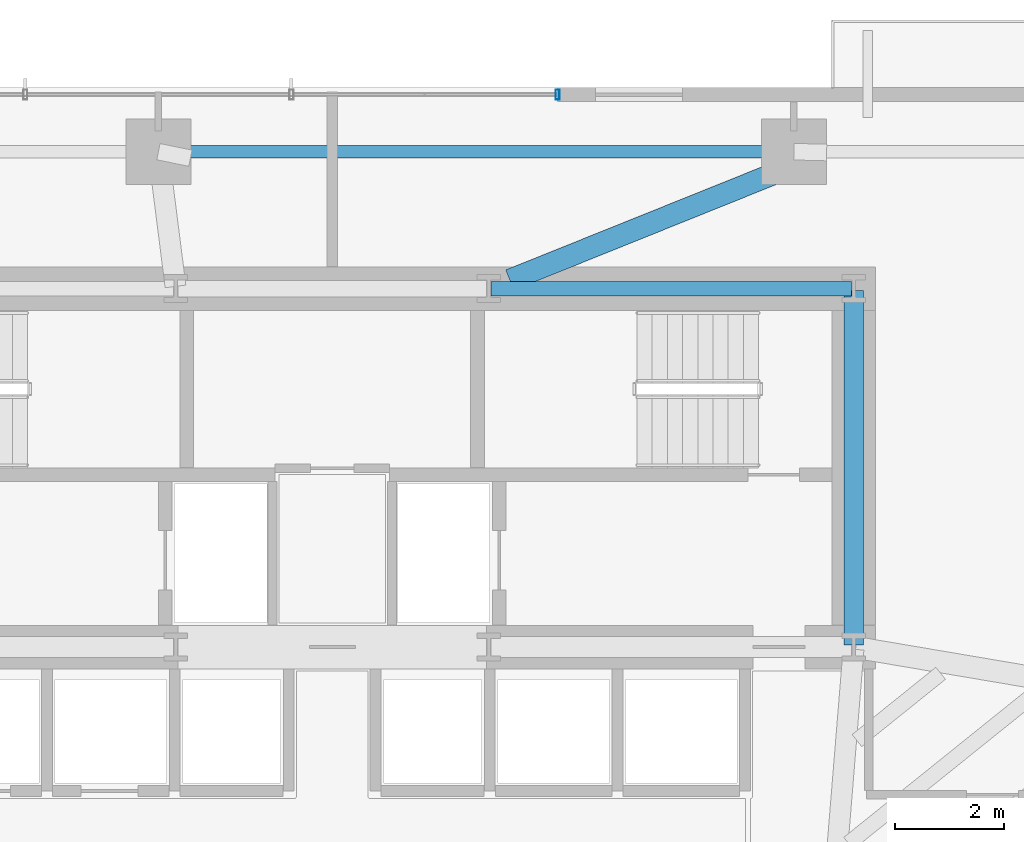
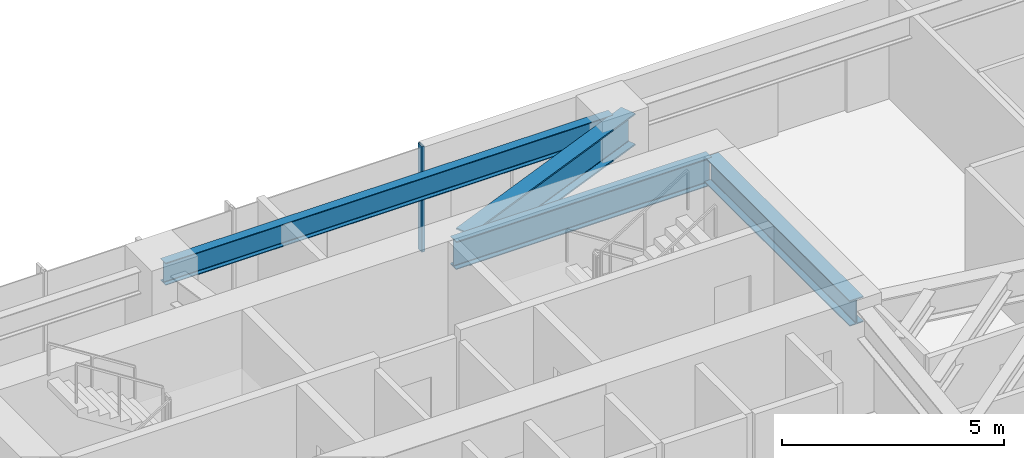
# One storey, part 15 of 25: 4 beams, 1 member, 1 element without a shape of its own.
"""IFC4 building model written with IfcOpenShell, lengths in metres."""

import ifcopenshell
import ifcopenshell.guid

model = None  # the IFC model being written
_history = None  # IfcOwnerHistory: only IFC2X3 demands one
_inside = {}  # id of a spatial element -> (the spatial element, [elements in it])
_under = {}  # id of a project, library or spatial element -> (it, [spatial elements below it])
_declared = {}  # id of a project -> (the project, [libraries it declares])
_typed = {}  # id of a type object -> (the type object, [elements of that type])
_made_of = {}  # id of a material, layer set ... -> (it, [elements and type objects made of it])


def new_model(schema):
    """Start an empty IFC model of exactly this schema.

    Asked for "IFC4X3", IfcOpenShell would pick the latest addendum, in which some entities
    have other attributes; the version numbers below select the first issue.
    IFC2X3 requires an IfcOwnerHistory on every rooted entity: one is made here for all.
    """
    global model, _history
    if schema == "IFC4X3":
        model = ifcopenshell.file(schema_version=(4, 3, 0, 0))
    else:
        model = ifcopenshell.file(schema=schema)
    _inside.clear()
    _under.clear()
    _declared.clear()
    _typed.clear()
    _made_of.clear()
    _history = None
    if model.schema == "IFC2X3":
        org = make("IfcOrganization", Name="unknown")
        user = make(
            "IfcPersonAndOrganization",
            ThePerson=make("IfcPerson", FamilyName="unknown"),
            TheOrganization=org,
        )
        app = make(
            "IfcApplication",
            ApplicationDeveloper=org,
            Version="unknown",
            ApplicationFullName="unknown",
            ApplicationIdentifier="unknown",
        )
        _history = make(
            "IfcOwnerHistory",
            OwningUser=user,
            OwningApplication=app,
            ChangeAction="ADDED",
            CreationDate=0,
        )
    return model


def make(cls, **values):
    """One entity of the class cls with the attributes given. An attribute that is None is left unset."""
    return model.create_entity(
        cls, **{name: value for name, value in values.items() if value is not None}
    )


def rooted(cls, **values):
    """An entity with a GlobalId (a new one), such as an element, a storey or a relation."""
    return make(cls, GlobalId=ifcopenshell.guid.new(), OwnerHistory=_history, **values)


def si_unit(unit_type, name, prefix=None):
    """IfcSIUnit, for example si_unit("LENGTHUNIT", "METRE", prefix="MILLI")."""
    return make("IfcSIUnit", UnitType=unit_type, Prefix=prefix, Name=name)


def assignment(units):
    """IfcUnitAssignment: the units of a project."""
    return None if units is None else make("IfcUnitAssignment", Units=units)


def point(xyz):
    """IfcCartesianPoint."""
    return None if xyz is None else make("IfcCartesianPoint", Coordinates=xyz)


def direction(xyz):
    """IfcDirection."""
    return None if xyz is None else make("IfcDirection", DirectionRatios=xyz)


def frame(location, z_axis=None, x_axis=None):
    """IfcAxis2Placement3D, a coordinate frame: its origin and axes. An axis left out is left unset."""
    return make(
        "IfcAxis2Placement3D",
        Location=point(location),
        Axis=direction(z_axis),
        RefDirection=direction(x_axis),
    )


def frame_2d(location, x_axis=None):
    """IfcAxis2Placement2D, a coordinate frame in the plane: its origin and x axis."""
    return make(
        "IfcAxis2Placement2D", Location=point(location), RefDirection=direction(x_axis)
    )


def origin():
    """The frame at (0, 0, 0) with its axes left unset."""
    return frame((0.0, 0.0, 0.0))


def origin_2d():
    """The frame at (0, 0) in the plane with its x axis left unset."""
    return frame_2d((0.0, 0.0))


def place(relative_to, where):
    """IfcLocalPlacement: puts the frame where relative to a parent placement (None: the world)."""
    return make(
        "IfcLocalPlacement", PlacementRelTo=relative_to, RelativePlacement=where
    )


def context(
    kind, dimensions, precision=None, world=None, true_north=None, identifier=None
):
    """IfcGeometricRepresentationContext, for example the 3D "Model" context."""
    return make(
        "IfcGeometricRepresentationContext",
        ContextIdentifier=identifier,
        ContextType=kind,
        CoordinateSpaceDimension=dimensions,
        Precision=precision,
        WorldCoordinateSystem=world,
        TrueNorth=true_north,
    )


def subcontext(parent, identifier, kind, view, scale=None):
    """IfcGeometricRepresentationSubContext, for example "Body" below "Model"."""
    return make(
        "IfcGeometricRepresentationSubContext",
        ContextIdentifier=identifier,
        ContextType=kind,
        ParentContext=parent,
        TargetScale=scale,
        TargetView=view,
    )


def project(units=None, contexts=None):
    """IfcProject with its units and contexts."""
    return rooted(
        "IfcProject",
        Name="project",
        RepresentationContexts=contexts,
        UnitsInContext=assignment(units),
    )


def spatial(cls, under=None, at=None, **own):
    """A site, building, storey or space (cls), placed at a placement, below another one or the project."""
    s = rooted(cls, ObjectPlacement=at, **own)
    if under is not None:
        _under.setdefault(under.id(), (under, []))[1].append(s)
    return s


def profile(cls, at=None, kind="AREA", **sizes):
    """A parametric profile (cls). Its sizes go by their IFC names, for example OverallWidth=200.0."""
    return make(cls, ProfileType=kind, Position=at, **sizes)


def hollow_rectangle(**sizes):
    """IfcRectangleHollowProfileDef."""
    return profile("IfcRectangleHollowProfileDef", **sizes)


def i_section(**sizes):
    """IfcIShapeProfileDef."""
    return profile("IfcIShapeProfileDef", **sizes)


def extrude(swept, where, along, depth):
    """IfcExtrudedAreaSolid: the profile swept, set in the frame where, extruded along a direction by depth."""
    return make(
        "IfcExtrudedAreaSolid",
        SweptArea=swept,
        Position=where,
        ExtrudedDirection=direction(along),
        Depth=depth,
    )


def shape(context_of_items, identifier, shape_type, items):
    """IfcShapeRepresentation: the items that make up one representation, for example the "Body"."""
    return make(
        "IfcShapeRepresentation",
        ContextOfItems=context_of_items,
        RepresentationIdentifier=identifier,
        RepresentationType=shape_type,
        Items=items,
    )


def source(mapping_origin, context_of_items, identifier, shape_type, items):
    """IfcRepresentationMap: a shape defined once, which mapped items show again and again."""
    return make(
        "IfcRepresentationMap",
        MappingOrigin=mapping_origin,
        MappedRepresentation=shape(context_of_items, identifier, shape_type, items),
    )


def transform(
    local_origin,
    x_axis=None,
    y_axis=None,
    z_axis=None,
    scale=None,
    scale2=None,
    scale3=None,
    uniform=True,
):
    """IfcCartesianTransformationOperator3D, or its non-uniform kind. x_axis, y_axis, z_axis: its Axis1, 2, 3."""
    if uniform:
        return make(
            "IfcCartesianTransformationOperator3D",
            Axis1=direction(x_axis),
            Axis2=direction(y_axis),
            LocalOrigin=point(local_origin),
            Scale=scale,
            Axis3=direction(z_axis),
        )
    return make(
        "IfcCartesianTransformationOperator3DnonUniform",
        Axis1=direction(x_axis),
        Axis2=direction(y_axis),
        LocalOrigin=point(local_origin),
        Scale=scale,
        Axis3=direction(z_axis),
        Scale2=scale2,
        Scale3=scale3,
    )


def mapped(mapping_source, mapping_target):
    """IfcMappedItem: shows the shape of a source again, moved by a transform."""
    return make(
        "IfcMappedItem", MappingSource=mapping_source, MappingTarget=mapping_target
    )


def material(Name=None, Category=None):
    """IfcMaterial."""
    return make("IfcMaterial", Name=Name, Category=Category)


def material_profile(
    of_material, cross_section, Name=None, Category=None, Priority=None
):
    """IfcMaterialProfile: a cross section and its material."""
    return make(
        "IfcMaterialProfile",
        Name=Name,
        Material=of_material,
        Profile=cross_section,
        Priority=Priority,
        Category=Category,
    )


def profile_set(profiles, Name=None, composite=None):
    """IfcMaterialProfileSet."""
    return make(
        "IfcMaterialProfileSet",
        Name=Name,
        MaterialProfiles=profiles,
        CompositeProfile=composite,
    )


def made_of(thing, what):
    """Note that an element or type object is made of a material, layer set ...; save() writes the relation."""
    if what is not None:
        _made_of.setdefault(what.id(), (what, []))[1].append(thing)
    return thing


def type_object(cls, material=None, **own):
    """A type object (cls), such as IfcWallType, which elements share."""
    return made_of(rooted(cls, **own), material)


def type_shapes(of_type, sources):
    """Give a type object the sources (RepresentationMaps) that its elements show as mapped items."""
    of_type.RepresentationMaps = sources


def element(
    cls,
    number,
    at=None,
    inside=None,
    cuts=None,
    type_object=None,
    material=None,
    context=None,
    identifier="Body",
    shape_type=None,
    held_by="IfcProductDefinitionShape",
    body=None,
    shapes=None,
    **own,
):
    """One element of the class cls, such as IfcWall. Its Tag is "e" and its number.

    at: its placement. inside: the storey or other place that contains it. cuts: it is an
    opening in that element (IfcRelVoidsElement). A single representation is given by context,
    identifier, shape_type and body (its items); several are given by shapes. held_by: the class
    of the entity that holds the representations. save() writes the other relations.
    """
    e = rooted(cls, Tag="e%d" % number, ObjectPlacement=at, **own)
    if body is not None:
        shapes = [shape(context, identifier, shape_type, body)]
    if shapes is not None:
        e.Representation = make(held_by, Representations=shapes)
    if inside is not None:
        _inside.setdefault(inside.id(), (inside, []))[1].append(e)
    if cuts is not None:
        rooted(
            "IfcRelVoidsElement", RelatingBuildingElement=cuts, RelatedOpeningElement=e
        )
    if type_object is not None:
        _typed.setdefault(type_object.id(), (type_object, []))[1].append(e)
    return made_of(e, material)


def aggregate(whole, parts):
    """IfcRelAggregates: a whole, such as a stair, and the parts it consists of."""
    return rooted("IfcRelAggregates", RelatingObject=whole, RelatedObjects=parts)


def save(model, path):
    """Write the relations noted so far, then the file.

    IfcRelAggregates (storeys below a building ...), IfcRelContainedInSpatialStructure (elements
    in a storey), IfcRelDefinesByType, IfcRelAssociatesMaterial and IfcRelDeclares: one each for
    every whole, place, type object, material and project.
    """
    for whole, parts in _under.values():
        aggregate(whole, parts)
    for where, things in _inside.values():
        rooted(
            "IfcRelContainedInSpatialStructure",
            RelatedElements=things,
            RelatingStructure=where,
        )
    for kind, things in _typed.values():
        rooted("IfcRelDefinesByType", RelatedObjects=things, RelatingType=kind)
    for what, things in _made_of.values():
        rooted("IfcRelAssociatesMaterial", RelatedObjects=things, RelatingMaterial=what)
    for by, libraries in _declared.values():
        rooted("IfcRelDeclares", RelatingContext=by, RelatedDefinitions=libraries)
    model.write(path)


model = new_model("IFC4")

# Units and contexts
model_context = context("Model", 3, precision=1e-05, world=origin(), true_north=direction((0.0, 1.0)))
body_context = subcontext(model_context, "Body", "Model", "MODEL_VIEW")
ifc_project = project(units=[si_unit("LENGTHUNIT", "METRE"), si_unit("AREAUNIT", "SQUARE_METRE"), si_unit("VOLUMEUNIT", "CUBIC_METRE"), si_unit("PLANEANGLEUNIT", "RADIAN"), si_unit("MASSUNIT", "GRAM", prefix="KILO")], contexts=[model_context])

# Site, building, storey
site_placement = place(None, origin())
site = spatial("IfcSite", under=ifc_project, at=site_placement, CompositionType="ELEMENT")
building_placement = place(site_placement, origin())
building = spatial("IfcBuilding", under=site, at=building_placement, Name="Astriad Promenade Condominiums", CompositionType="ELEMENT")
storey_placement = place(building_placement, frame((0.0, 0.0, 64.60009765625)))
storey = spatial("IfcBuildingStorey", under=building, at=storey_placement, Name="L18", CompositionType="ELEMENT", Elevation=64.60009765625)

# Beams
ifc_material_1 = material(Name="Steel ASTM A992 Grade 50", Category="steel")
ifc_material_profile_1 = material_profile(ifc_material_1, i_section(OverallWidth=0.267822265625, OverallDepth=0.76953125, WebThickness=0.015625, FlangeThickness=0.025390625, FilletRadius=0.021484375, at=origin_2d()), Name="W30X132")
ifc_profile_set_1 = profile_set([ifc_material_profile_1], Name="Steel ASTM A992 Grade 50")
beam_type_1 = type_object("IfcBeamType", Name="STEEL FLOOR GIRDER W30X132", PredefinedType="BEAM", material=ifc_profile_set_1)
shared_shape_1 = source(origin(), body_context, "Body", "SweptSolid", [
    extrude(i_section(OverallWidth=0.267822265625, OverallDepth=0.76953125, WebThickness=0.015625, FlangeThickness=0.025390625, FilletRadius=0.021484375, at=origin_2d()), origin(), (0.0, 0.0, 1.0), 6.64013671875),
])
type_shapes(beam_type_1, [shared_shape_1])
beam_1_placement = place(storey_placement, frame((38.919921875, 24.0, 2.51513671875), z_axis=(1.0, 0.0, 0.0), x_axis=(0.0, 1.0, 0.0)))
element("IfcBeam", 1, at=beam_1_placement, inside=storey, type_object=beam_type_1, Name="Core Ring Beam CG-N3-L18", PredefinedType="BEAM", context=body_context, shape_type="MappedRepresentation", body=[
    mapped(shared_shape_1, transform((0.0, 0.0, 0.0), scale=1.0)),
])
ifc_material_profile_2 = material_profile(ifc_material_1, i_section(OverallWidth=0.35791015625, OverallDepth=0.706298828125, WebThickness=0.018310546875, FlangeThickness=0.0302734375, FilletRadius=0.020263671875, at=origin_2d()), Name="W27X178")
ifc_profile_set_2 = profile_set([ifc_material_profile_2], Name="Steel ASTM A992 Grade 50")
beam_type_2 = type_object("IfcBeamType", Name="STEEL FLOOR GIRDER W27X178", PredefinedType="BEAM", material=ifc_profile_set_2)
shared_shape_2 = source(origin(), body_context, "Body", "SweptSolid", [
    extrude(i_section(OverallWidth=0.35791015625, OverallDepth=0.706298828125, WebThickness=0.018310546875, FlangeThickness=0.0302734375, FilletRadius=0.020263671875, at=origin_2d()), origin(), (0.0, 0.0, 1.0), 6.52001953125),
])
type_shapes(beam_type_2, [shared_shape_2])
beam_2_placement = place(storey_placement, frame((45.60009765625, 17.43994140625, 2.546630859375), z_axis=(0.0, 1.0, 0.0), x_axis=(-1.0, 0.0, 0.0)))
element("IfcBeam", 2, at=beam_2_placement, inside=storey, type_object=beam_type_2, Name="Core Ring Beam CG-E1-L18", PredefinedType="BEAM", context=body_context, shape_type="MappedRepresentation", body=[
    mapped(shared_shape_2, transform((0.0, 0.0, 0.0), scale=1.0)),
])
ifc_material_profile_3 = material_profile(ifc_material_1, i_section(OverallWidth=0.22900390625, OverallDepth=0.612060546875, WebThickness=0.011962890625, FlangeThickness=0.01953125, FilletRadius=0.017822265625, at=origin_2d()), Name="W24X84")
ifc_profile_set_3 = profile_set([ifc_material_profile_3], Name="Steel ASTM A992 Grade 50")
beam_type_3 = type_object("IfcBeamType", Name="STEEL SPANDREL BEAM W24X84", PredefinedType="SPANDREL", material=ifc_profile_set_3)
shared_shape_3 = source(origin(), body_context, "Body", "SweptSolid", [
    extrude(i_section(OverallWidth=0.22900390625, OverallDepth=0.612060546875, WebThickness=0.011962890625, FlangeThickness=0.01953125, FilletRadius=0.017822265625, at=origin_2d()), origin(), (0.0, 0.0, 1.0), 11.619873046875),
])
type_shapes(beam_type_3, [shared_shape_3])
beam_3_placement = place(storey_placement, frame((44.4599609375, 26.52001953125, 2.593994140625), z_axis=(-1.0, 0.0, 0.0), x_axis=(0.0, -1.0, 0.0)))
element("IfcBeam", 3, at=beam_3_placement, inside=storey, type_object=beam_type_3, Name="Perimeter Spandrel Beam SP-N3-L18", PredefinedType="SPANDREL", context=body_context, shape_type="MappedRepresentation", body=[
    mapped(shared_shape_3, transform((0.0, 0.0, 0.0), scale=1.0)),
])
ifc_material_profile_4 = material_profile(ifc_material_1, i_section(OverallWidth=0.4013671875, OverallDepth=0.877197265625, WebThickness=0.022216796875, FlangeThickness=0.039794921875, FilletRadius=0.02294921875, at=origin_2d()), Name="W33X263")
ifc_profile_set_4 = profile_set([ifc_material_profile_4], Name="Steel ASTM A992 Grade 50")
beam_type_4 = type_object("IfcBeamType", Name="STEEL TRANSFER CARRIER GIRDER W33X263", PredefinedType="BEAM", material=ifc_profile_set_4)
shared_shape_4 = source(origin(), body_context, "Body", "SweptSolid", [
    extrude(i_section(OverallWidth=0.4013671875, OverallDepth=0.877197265625, WebThickness=0.022216796875, FlangeThickness=0.039794921875, FilletRadius=0.02294921875, at=origin_2d()), origin(), (0.0, 0.0, 1.0), 6.0146484375),
])
type_shapes(beam_type_4, [shared_shape_4])
beam_4_placement = place(storey_placement, frame((39.267822265625, 24.156005859375, 2.461181640625), z_axis=(0.927685152649, 0.373363438963, 0.0), x_axis=(-0.373363438963, 0.927685152649, 0.0)))
element("IfcBeam", 4, at=beam_4_placement, inside=storey, type_object=beam_type_4, Name="Transfer Splice Carrier TRM-SP-PC09-L18", PredefinedType="BEAM", context=body_context, shape_type="MappedRepresentation", body=[
    mapped(shared_shape_4, transform((0.0, 0.0, 0.0), scale=1.0)),
])

# Curtain wall, member
ifc_material_2 = material(Name="Anodised aluminium Black Dark Glass Unitised", Category="aluminium")
curtain_wall_type = type_object("IfcCurtainWallType", Name="CW-B1-DARK", PredefinedType="USERDEFINED", material=ifc_material_2)
curtain_wall_placement = place(storey_placement, origin())
curtain_wall = element("IfcCurtainWall", 5, at=curtain_wall_placement, inside=storey, type_object=curtain_wall_type, Name="CW-L18-N", ObjectType="UNITISED_CURTAIN_WALL", PredefinedType="USERDEFINED")
ifc_material_3 = material(Name="Anodised aluminium 6063-T6 Black", Category="aluminium")
ifc_material_profile_5 = material_profile(ifc_material_3, hollow_rectangle(XDim=0.074951171875, YDim=0.18505859375, WallThickness=0.00439453125, at=origin_2d()), Name="ALU-MUL-75X185")
ifc_profile_set_5 = profile_set([ifc_material_profile_5], Name="Anodised aluminium 6063-T6 Black")
member_type = type_object("IfcMemberType", Name="MUL-ALU-MUL-75X185", PredefinedType="MULLION", material=ifc_profile_set_5)
shared_shape_5 = source(origin(), body_context, "Body", "SweptSolid", [
    extrude(hollow_rectangle(XDim=0.074951171875, YDim=0.18505859375, WallThickness=0.00439453125, at=origin_2d()), origin(), (0.0, 0.0, 1.0), 2.89990234375),
])
type_shapes(member_type, [shared_shape_5])
member_placement = place(storey_placement, frame((40.14990234375, 27.570068359375, 0.0), z_axis=(0.0, 0.0, 1.0), x_axis=(1.0, 0.0, 0.0)))
member = element("IfcMember", 6, at=member_placement, type_object=member_type, Name="CW-L18-N-MUL-03", PredefinedType="MULLION", context=body_context, shape_type="MappedRepresentation", body=[
    mapped(shared_shape_5, transform((0.0, 0.0, 0.0), scale=1.0)),
])
aggregate(curtain_wall, [member])

save(model, "model.ifc")
